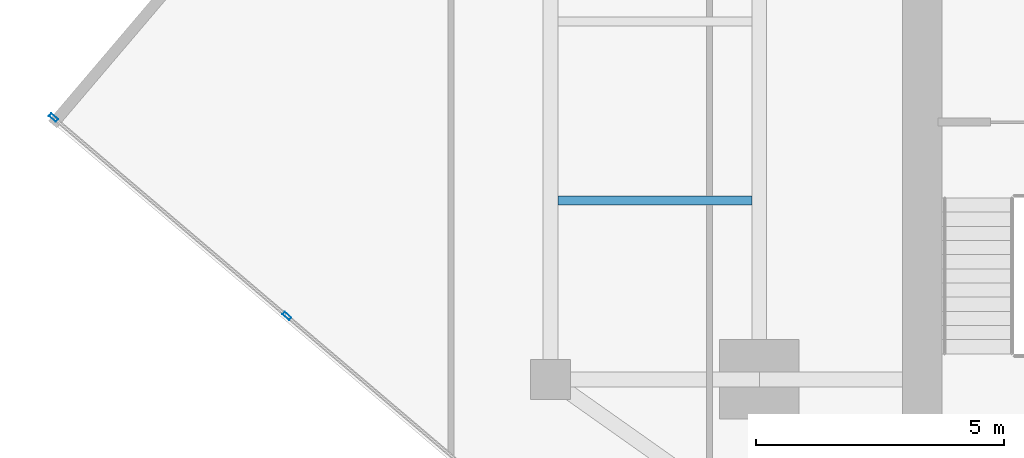
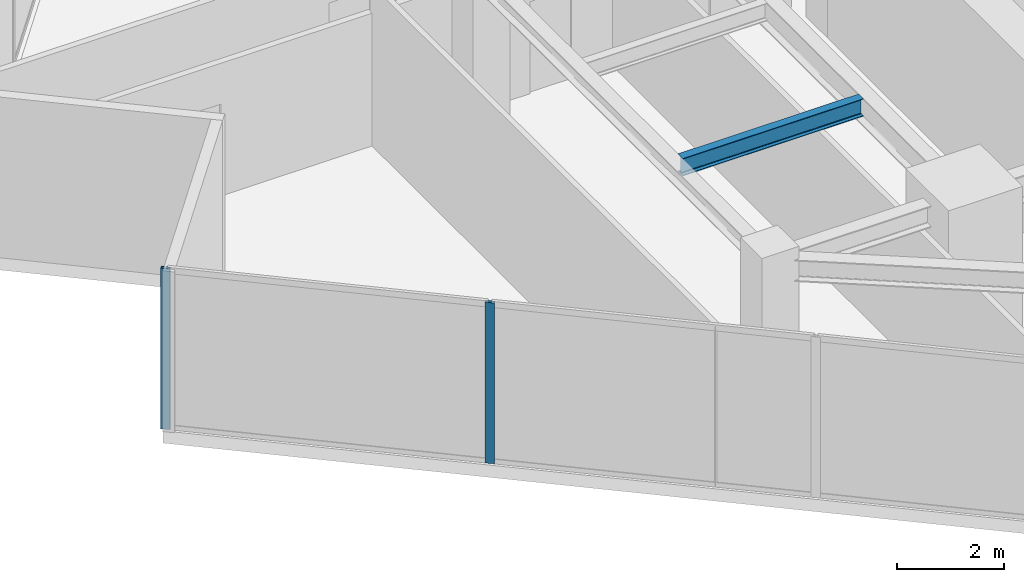
# One storey, part 6 of 26: 2 members, 1 beam, 1 element without a shape of its own.
"""IFC4 building model written with IfcOpenShell, lengths in metres."""

from ifc_helpers import new_model, si_unit, direction, frame, origin, origin_2d, place, context, subcontext, project, spatial, hollow_rectangle, i_section, extrude, source, transform, mapped, material, material_profile, profile_set, type_object, type_shapes, element, aggregate, save


model = new_model("IFC4")

# Units and contexts
model_context = context("Model", 3, precision=1e-05, world=origin(), true_north=direction((0.0, 1.0)))
body_context = subcontext(model_context, "Body", "Model", "MODEL_VIEW")
ifc_project = project(units=[si_unit("LENGTHUNIT", "METRE"), si_unit("AREAUNIT", "SQUARE_METRE"), si_unit("VOLUMEUNIT", "CUBIC_METRE"), si_unit("PLANEANGLEUNIT", "RADIAN"), si_unit("MASSUNIT", "GRAM", prefix="KILO")], contexts=[model_context])

# Site, building, storey
site_placement = place(None, origin())
site = spatial("IfcSite", under=ifc_project, at=site_placement, CompositionType="ELEMENT")
building_placement = place(site_placement, origin())
building = spatial("IfcBuilding", under=site, at=building_placement, Name="Krantzveldt Concourse Tower", CompositionType="ELEMENT")
storey_placement = place(building_placement, frame((0.0, 0.0, 207.300048828125)))
storey = spatial("IfcBuildingStorey", under=building, at=storey_placement, Name="L50", CompositionType="ELEMENT", Elevation=207.300048828125)

# Beam
ifc_material_1 = material(Name="Steel S355JR", Category="steel")
ifc_material_profile_1 = material_profile(ifc_material_1, i_section(OverallWidth=0.179931640625, OverallDepth=0.39990234375, WebThickness=0.008544921875, FlangeThickness=0.013427734375, FilletRadius=0.02099609375, at=origin_2d()), Name="Steel S355JR", Category="steel")
ifc_profile_set_1 = profile_set([ifc_material_profile_1], Name="Steel S355JR - IPE 400")
beam_type = type_object("IfcBeamType", Name="BM-J-IPE400", PredefinedType="JOIST", material=ifc_profile_set_1)
shared_shape_1 = source(origin(), body_context, "Body", "SweptSolid", [
    extrude(i_section(OverallWidth=0.179931640625, OverallDepth=0.39990234375, WebThickness=0.008544921875, FlangeThickness=0.013427734375, FilletRadius=0.02099609375, at=origin_2d()), origin(), (0.0, 0.0, 1.0), 3.900146484375),
])
type_shapes(beam_type, [shared_shape_1])
beam_placement = place(storey_placement, frame((21.14990234375, 19.5, 3.469970703125), z_axis=(1.0, 0.0, 0.0), x_axis=(0.0, 1.0, 0.0)))
element("IfcBeam", 1, at=beam_placement, inside=storey, type_object=beam_type, Name="L50 Secondary Floor Joist JW-1", PredefinedType="JOIST", context=body_context, shape_type="MappedRepresentation", body=[
    mapped(shared_shape_1, transform((0.0, 0.0, 0.0), x_axis=(1.0, 0.0, 0.0), y_axis=(0.0, 1.0, 0.0), z_axis=(0.0, 0.0, 1.0), scale=1.0)),
])

# Curtain wall, members
ifc_material_2 = material(Name="Anodised aluminium 6063-T6", Category="aluminium")
curtain_wall_type = type_object("IfcCurtainWallType", Name="CW3", PredefinedType="USERDEFINED", material=ifc_material_2)
curtain_wall_placement = place(storey_placement, origin())
curtain_wall = element("IfcCurtainWall", 2, at=curtain_wall_placement, inside=storey, type_object=curtain_wall_type, Name="CW-L50-F04", ObjectType="UNITISED CURTAIN WALL", PredefinedType="USERDEFINED")
ifc_material_profile_2 = material_profile(ifc_material_2, hollow_rectangle(XDim=0.070068359375, YDim=0.179931640625, WallThickness=0.0048828125, at=origin_2d()), Name="Anodised aluminium 6063-T6", Category="aluminium")
ifc_profile_set_2 = profile_set([ifc_material_profile_2], Name="Anodised aluminium 6063-T6 - ALU-MULL 180x70x5")
member_type = type_object("IfcMemberType", Name="CW-MUL-180", PredefinedType="MULLION", material=ifc_profile_set_2)
shared_shape_2 = source(origin(), body_context, "Body", "SweptSolid", [
    extrude(hollow_rectangle(XDim=0.070068359375, YDim=0.179931640625, WallThickness=0.0048828125, at=origin_2d()), origin(), (0.0, 0.0, 1.0), 3.669921875),
])
type_shapes(member_type, [shared_shape_2])
member_1_placement = place(storey_placement, frame((10.9970703125, 21.169189453125, 0.0), z_axis=(0.0, 0.0, 1.0), x_axis=(0.647787694805, 0.761820912327, 0.0)))
member_1 = element("IfcMember", 3, at=member_1_placement, type_object=member_type, Name="CW-Z34 mullion 1", PredefinedType="MULLION", context=body_context, shape_type="MappedRepresentation", body=[
    mapped(shared_shape_2, transform((0.0, 0.0, 0.0), x_axis=(1.0, 0.0, 0.0), y_axis=(0.0, 1.0, 0.0), z_axis=(0.0, 0.0, 1.0), scale=1.0)),
])
member_2_placement = place(storey_placement, frame((15.693603515625, 17.175537109375, 0.0), z_axis=(0.0, 0.0, 1.0), x_axis=(0.647787694805, 0.761820912327, 0.0)))
member_2 = element("IfcMember", 4, at=member_2_placement, type_object=member_type, Name="CW-Z34 mullion 2", PredefinedType="MULLION", context=body_context, shape_type="MappedRepresentation", body=[
    mapped(shared_shape_2, transform((0.0, 0.0, 0.0), x_axis=(1.0, 0.0, 0.0), y_axis=(0.0, 1.0, 0.0), z_axis=(0.0, 0.0, 1.0), scale=1.0)),
])
aggregate(curtain_wall, [member_1, member_2])

save(model, "model.ifc")
